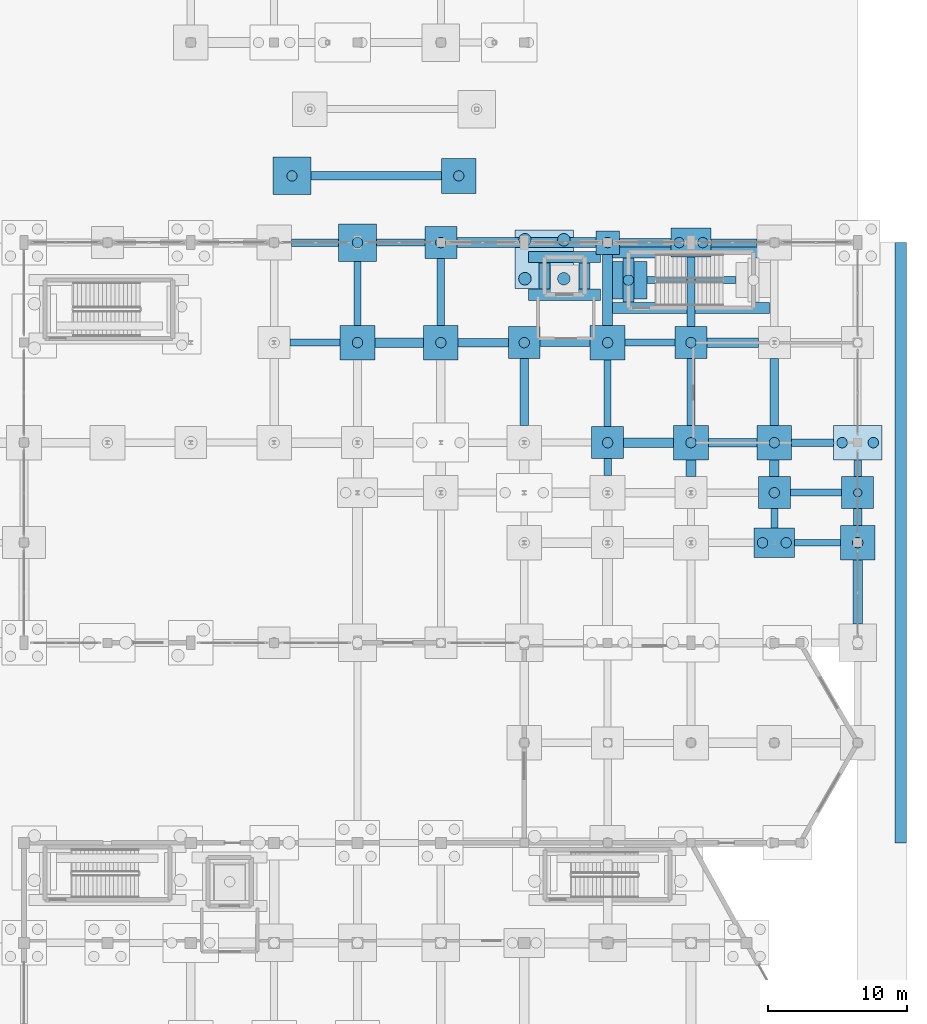
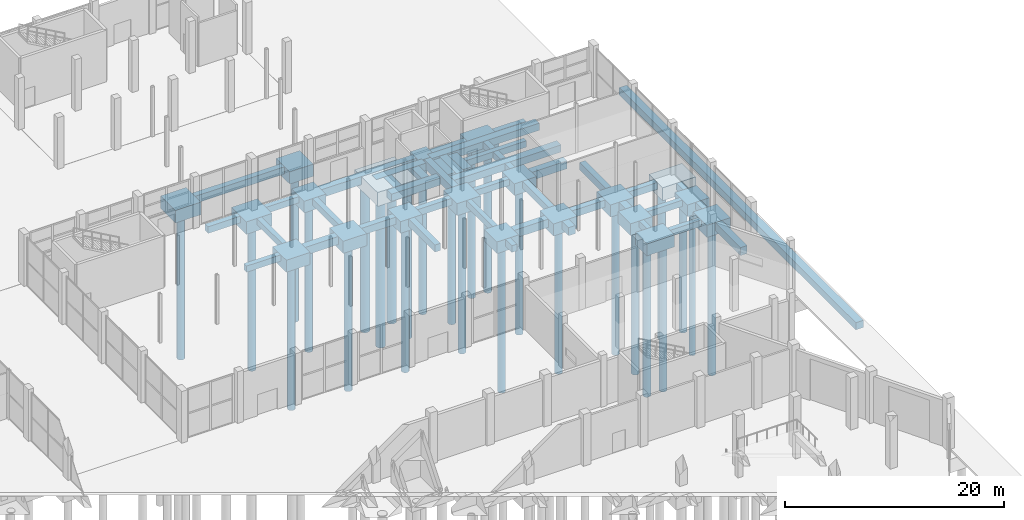
# One storey, part 12 of 103: 62 footings, 27 piles.
"""IFC4 building model written with IfcOpenShell, lengths in metres."""

from ifc_helpers import new_model, si_unit, direction, frame, origin, origin_2d, place, context, subcontext, project, spatial, rectangle, circle, extrude, material, material_profile, profile_set, type_object, element, save


model = new_model("IFC4")

# Units and contexts
model_context = context("Model", 3, precision=1e-05, world=origin(), true_north=direction((0.0, 1.0)))
body_context = subcontext(model_context, "Body", "Model", "MODEL_VIEW")
ifc_project = project(units=[si_unit("LENGTHUNIT", "METRE"), si_unit("AREAUNIT", "SQUARE_METRE"), si_unit("VOLUMEUNIT", "CUBIC_METRE"), si_unit("PLANEANGLEUNIT", "RADIAN"), si_unit("MASSUNIT", "GRAM", prefix="KILO")], contexts=[model_context])

# Site, building, storey
site_placement = place(None, origin())
site = spatial("IfcSite", under=ifc_project, at=site_placement, CompositionType="ELEMENT")
building_placement = place(site_placement, origin())
building = spatial("IfcBuilding", under=site, at=building_placement, Name="Dunvalen Ferry Terminal", CompositionType="ELEMENT")
storey_placement = place(building_placement, origin())
storey = spatial("IfcBuildingStorey", under=building, at=storey_placement, Name="L00", CompositionType="ELEMENT", Elevation=0.0)

# Footings
ifc_material = material(Name="Concrete C40/50", Category="concrete")
ifc_material_profile_1 = material_profile(ifc_material, rectangle(XDim=0.5, YDim=0.699951171875, at=origin_2d()), Name="Concrete C40/50")
ifc_profile_set_1 = profile_set([ifc_material_profile_1], Name="Concrete C40/50")
footing_type_1 = type_object("IfcFootingType", Name="STR-GB-500x700", PredefinedType="FOOTING_BEAM", material=ifc_profile_set_1)
footing_1_placement = place(storey_placement, frame((163.449951171875, 64.800048828125, -0.669921875), z_axis=(1.0, 0.0, 0.0), x_axis=(0.0, 1.0, 0.0)))
element("IfcFooting", 1, at=footing_1_placement, inside=storey, type_object=footing_type_1, Name="L00 Ground Beam X-247", PredefinedType="FOOTING_BEAM", context=body_context, shape_type="SweptSolid", body=[
    extrude(rectangle(XDim=0.5, YDim=0.699951171875, at=origin_2d()), origin(), (0.0, 0.0, 1.0), 3.300048828125),
])
footing_2_placement = place(storey_placement, frame((163.14990234375, 68.39990234375, -0.669921875), z_axis=(1.0, 0.0, 0.0), x_axis=(0.0, 1.0, 0.0)))
element("IfcFooting", 2, at=footing_2_placement, inside=storey, type_object=footing_type_1, Name="L00 Ground Beam X-259", PredefinedType="FOOTING_BEAM", context=body_context, shape_type="SweptSolid", body=[
    extrude(rectangle(XDim=0.5, YDim=0.699951171875, at=origin_2d()), origin(), (0.0, 0.0, 1.0), 3.7001953125),
])
for number, where, z_axis, x_axis, name in (
    (3, (127.14990234375, 79.199951171875, -0.669921875), (1.0, 0.0, 0.0), (0.0, 1.0, 0.0), "L00 Ground Beam X-303"),
    (4, (151.25, 79.199951171875, -0.669921875), (1.0, 0.0, 0.0), (0.0, 1.0, 0.0), "L00 Ground Beam X-307"),
):
    element("IfcFooting", number, at=place(storey_placement, frame(where, z_axis=z_axis, x_axis=x_axis)), inside=storey, type_object=footing_type_1, Name=name, PredefinedType="FOOTING_BEAM", context=body_context, shape_type="SweptSolid", body=[
        extrude(rectangle(XDim=0.5, YDim=0.699951171875, at=origin_2d()), origin(), (0.0, 0.0, 1.0), 3.60009765625),
    ])
footing_3_placement = place(storey_placement, frame((152.85009765625, 83.699951171875, -0.669921875), z_axis=(1.0, 0.0, 0.0), x_axis=(0.0, 1.0, 0.0)))
element("IfcFooting", 5, at=footing_3_placement, inside=storey, type_object=footing_type_1, Name="L00 Ground Beam X-311", PredefinedType="FOOTING_BEAM", context=body_context, shape_type="SweptSolid", body=[
    extrude(rectangle(XDim=0.5, YDim=0.699951171875, at=origin_2d()), origin(), (0.0, 0.0, 1.0), 6.39990234375),
])
footing_4_placement = place(storey_placement, frame((133.35009765625, 86.39990234375, -0.669921875), z_axis=(1.0, 0.0, 0.0), x_axis=(0.0, 1.0, 0.0)))
element("IfcFooting", 6, at=footing_4_placement, inside=storey, type_object=footing_type_1, Name="L00 Ground Beam X-327", PredefinedType="FOOTING_BEAM", context=body_context, shape_type="SweptSolid", body=[
    extrude(rectangle(XDim=0.5, YDim=0.699951171875, at=origin_2d()), origin(), (0.0, 0.0, 1.0), 3.5),
])
footing_5_placement = place(storey_placement, frame((132.0, 80.449951171875, -0.669921875), z_axis=(0.0, 1.0, 0.0), x_axis=(-1.0, 0.0, 0.0)))
element("IfcFooting", 7, at=footing_5_placement, inside=storey, type_object=footing_type_1, Name="L00 Ground Beam Y-487", PredefinedType="FOOTING_BEAM", context=body_context, shape_type="SweptSolid", body=[
    extrude(rectangle(XDim=0.5, YDim=0.699951171875, at=origin_2d()), origin(), (0.0, 0.0, 1.0), 4.60009765625),
])
footing_6_placement = place(storey_placement, frame((150.0, 73.14990234375, -0.669921875), z_axis=(0.0, 1.0, 0.0), x_axis=(-1.0, 0.0, 0.0)))
element("IfcFooting", 8, at=footing_6_placement, inside=storey, type_object=footing_type_1, Name="L00 Ground Beam Y-519", PredefinedType="FOOTING_BEAM", context=body_context, shape_type="SweptSolid", body=[
    extrude(rectangle(XDim=0.5, YDim=0.699951171875, at=origin_2d()), origin(), (0.0, 0.0, 1.0), 4.800048828125),
])
footing_7_placement = place(storey_placement, frame((162.0, 65.85009765625, -0.669921875), z_axis=(0.0, 1.0, 0.0), x_axis=(-1.0, 0.0, 0.0)))
element("IfcFooting", 9, at=footing_7_placement, inside=storey, type_object=footing_type_1, Name="L00 Ground Beam Y-531", PredefinedType="FOOTING_BEAM", context=body_context, shape_type="SweptSolid", body=[
    extrude(rectangle(XDim=0.5, YDim=0.699951171875, at=origin_2d()), origin(), (0.0, 0.0, 1.0), 1.39990234375),
])
ifc_material_profile_2 = material_profile(ifc_material, rectangle(XDim=0.550048828125, YDim=0.75, at=origin_2d()), Name="Concrete C40/50")
ifc_profile_set_2 = profile_set([ifc_material_profile_2], Name="Concrete C40/50")
footing_type_2 = type_object("IfcFootingType", Name="STR-GB-550x750", PredefinedType="FOOTING_BEAM", material=ifc_profile_set_2)
footing_8_placement = place(storey_placement, frame((163.25, 72.0, -0.695068359375), z_axis=(1.0, 0.0, 0.0), x_axis=(0.0, 1.0, 0.0)))
element("IfcFooting", 10, at=footing_8_placement, inside=storey, type_object=footing_type_2, Name="L00 Ground Beam X-286", PredefinedType="FOOTING_BEAM", context=body_context, shape_type="SweptSolid", body=[
    extrude(rectangle(XDim=0.550048828125, YDim=0.75, at=origin_2d()), origin(), (0.0, 0.0, 1.0), 3.0),
])
footing_9_placement = place(storey_placement, frame((145.14990234375, 79.199951171875, -0.695068359375), z_axis=(1.0, 0.0, 0.0), x_axis=(0.0, 1.0, 0.0)))
element("IfcFooting", 11, at=footing_9_placement, inside=storey, type_object=footing_type_2, Name="L00 Ground Beam X-306", PredefinedType="FOOTING_BEAM", context=body_context, shape_type="SweptSolid", body=[
    extrude(rectangle(XDim=0.550048828125, YDim=0.75, at=origin_2d()), origin(), (0.0, 0.0, 1.0), 3.60009765625),
])
footing_10_placement = place(storey_placement, frame((127.25, 86.39990234375, -0.695068359375), z_axis=(1.0, 0.0, 0.0), x_axis=(0.0, 1.0, 0.0)))
element("IfcFooting", 12, at=footing_10_placement, inside=storey, type_object=footing_type_2, Name="L00 Ground Beam X-326", PredefinedType="FOOTING_BEAM", context=body_context, shape_type="SweptSolid", body=[
    extrude(rectangle(XDim=0.550048828125, YDim=0.75, at=origin_2d()), origin(), (0.0, 0.0, 1.0), 3.39990234375),
])
footing_11_placement = place(storey_placement, frame((157.449951171875, 86.39990234375, -0.695068359375), z_axis=(1.0, 0.0, 0.0), x_axis=(0.0, 1.0, 0.0)))
element("IfcFooting", 13, at=footing_11_placement, inside=storey, type_object=footing_type_2, Name="L00 Ground Beam X-330", PredefinedType="FOOTING_BEAM", context=body_context, shape_type="SweptSolid", body=[
    extrude(rectangle(XDim=0.550048828125, YDim=0.75, at=origin_2d()), origin(), (0.0, 0.0, 1.0), 3.300048828125),
])
footing_12_placement = place(storey_placement, frame((138.0, 80.449951171875, -0.695068359375), z_axis=(0.0, 1.0, 0.0), x_axis=(-1.0, 0.0, 0.0)))
element("IfcFooting", 14, at=footing_12_placement, inside=storey, type_object=footing_type_2, Name="L00 Ground Beam Y-498", PredefinedType="FOOTING_BEAM", context=body_context, shape_type="SweptSolid", body=[
    extrude(rectangle(XDim=0.550048828125, YDim=0.75, at=origin_2d()), origin(), (0.0, 0.0, 1.0), 4.800048828125),
])
footing_13_placement = place(storey_placement, frame((150.0, 69.64990234375, -0.695068359375), z_axis=(0.0, 1.0, 0.0), x_axis=(-1.0, 0.0, 0.0)))
element("IfcFooting", 15, at=footing_13_placement, inside=storey, type_object=footing_type_2, Name="L00 Ground Beam Y-518", PredefinedType="FOOTING_BEAM", context=body_context, shape_type="SweptSolid", body=[
    extrude(rectangle(XDim=0.550048828125, YDim=0.75, at=origin_2d()), origin(), (0.0, 0.0, 1.0), 1.2001953125),
])
footing_14_placement = place(storey_placement, frame((156.0, 80.35009765625, -0.695068359375), z_axis=(0.0, 1.0, 0.0), x_axis=(-1.0, 0.0, 0.0)))
element("IfcFooting", 16, at=footing_14_placement, inside=storey, type_object=footing_type_2, Name="L00 Ground Beam Y-530", PredefinedType="FOOTING_BEAM", context=body_context, shape_type="SweptSolid", body=[
    extrude(rectangle(XDim=0.550048828125, YDim=0.75, at=origin_2d()), origin(), (0.0, 0.0, 1.0), 5.0),
])
footing_15_placement = place(storey_placement, frame((168.0, 69.550048828125, -0.695068359375), z_axis=(0.0, 1.0, 0.0), x_axis=(-1.0, 0.0, 0.0)))
element("IfcFooting", 17, at=footing_15_placement, inside=storey, type_object=footing_type_2, Name="L00 Ground Beam Y-538", PredefinedType="FOOTING_BEAM", context=body_context, shape_type="SweptSolid", body=[
    extrude(rectangle(XDim=0.550048828125, YDim=0.75, at=origin_2d()), origin(), (0.0, 0.0, 1.0), 1.199951171875),
])
ifc_material_profile_3 = material_profile(ifc_material, rectangle(XDim=0.60009765625, YDim=0.800048828125, at=origin_2d()), Name="Concrete C40/50")
ifc_profile_set_3 = profile_set([ifc_material_profile_3], Name="Concrete C40/50")
footing_type_3 = type_object("IfcFootingType", Name="STR-GB-600x800", PredefinedType="FOOTING_BEAM", material=ifc_profile_set_3)
footing_16_placement = place(storey_placement, frame((157.25, 72.0, -0.719970703125), z_axis=(1.0, 0.0, 0.0), x_axis=(0.0, 1.0, 0.0)))
element("IfcFooting", 18, at=footing_16_placement, inside=storey, type_object=footing_type_3, Name="L00 Ground Beam X-285", PredefinedType="FOOTING_BEAM", context=body_context, shape_type="SweptSolid", body=[
    extrude(rectangle(XDim=0.60009765625, YDim=0.800048828125, at=origin_2d()), origin(), (0.0, 0.0, 1.0), 3.5),
])
footing_17_placement = place(storey_placement, frame((139.25, 79.199951171875, -0.719970703125), z_axis=(1.0, 0.0, 0.0), x_axis=(0.0, 1.0, 0.0)))
element("IfcFooting", 19, at=footing_17_placement, inside=storey, type_object=footing_type_3, Name="L00 Ground Beam X-305", PredefinedType="FOOTING_BEAM", context=body_context, shape_type="SweptSolid", body=[
    extrude(rectangle(XDim=0.60009765625, YDim=0.800048828125, at=origin_2d()), origin(), (0.0, 0.0, 1.0), 3.60009765625),
])
footing_18_placement = place(storey_placement, frame((150.85009765625, 86.39990234375, -0.719970703125), z_axis=(1.0, 0.0, 0.0), x_axis=(0.0, 1.0, 0.0)))
element("IfcFooting", 20, at=footing_18_placement, inside=storey, type_object=footing_type_3, Name="L00 Ground Beam X-329", PredefinedType="FOOTING_BEAM", context=body_context, shape_type="SweptSolid", body=[
    extrude(rectangle(XDim=0.60009765625, YDim=0.800048828125, at=origin_2d()), origin(), (0.0, 0.0, 1.0), 3.699951171875),
])
footing_19_placement = place(storey_placement, frame((128.63623046875, 91.199951171875, -0.719970703125), z_axis=(1.0, 0.0, 0.0), x_axis=(0.0, 1.0, 0.0)))
element("IfcFooting", 21, at=footing_19_placement, inside=storey, type_object=footing_type_3, Name="L00 Ground Beam X-333", PredefinedType="FOOTING_BEAM", context=body_context, shape_type="SweptSolid", body=[
    extrude(rectangle(XDim=0.60009765625, YDim=0.800048828125, at=origin_2d()), origin(), (0.0, 0.0, 1.0), 9.39990234375),
])
for number, where, z_axis, x_axis, name in (
    (22, (144.0, 73.25, -0.719970703125), (0.0, 1.0, 0.0), (-1.0, 0.0, 0.0), "L00 Ground Beam Y-509"),
    (23, (156.0, 73.25, -0.719970703125), (0.0, 1.0, 0.0), (-1.0, 0.0, 0.0), "L00 Ground Beam Y-529"),
    (24, (162.0, 73.25, -0.719970703125), (0.0, 1.0, 0.0), (-1.0, 0.0, 0.0), "L00 Ground Beam Y-533"),
):
    element("IfcFooting", number, at=place(storey_placement, frame(where, z_axis=z_axis, x_axis=x_axis)), inside=storey, type_object=footing_type_3, Name=name, PredefinedType="FOOTING_BEAM", context=body_context, shape_type="SweptSolid", body=[
        extrude(rectangle(XDim=0.60009765625, YDim=0.800048828125, at=origin_2d()), origin(), (0.0, 0.0, 1.0), 4.800048828125),
    ])
footing_20_placement = place(storey_placement, frame((168.0, 66.050048828125, -0.719970703125), z_axis=(0.0, 1.0, 0.0), x_axis=(-1.0, 0.0, 0.0)))
element("IfcFooting", 25, at=footing_20_placement, inside=storey, type_object=footing_type_3, Name="L00 Ground Beam Y-537", PredefinedType="FOOTING_BEAM", context=body_context, shape_type="SweptSolid", body=[
    extrude(rectangle(XDim=0.60009765625, YDim=0.800048828125, at=origin_2d()), origin(), (0.0, 0.0, 1.0), 1.199951171875),
])
ifc_material_profile_4 = material_profile(ifc_material, rectangle(XDim=0.699951171875, YDim=0.89990234375, at=origin_2d()), Name="Concrete C40/50")
ifc_profile_set_4 = profile_set([ifc_material_profile_4], Name="Concrete C40/50")
footing_type_4 = type_object("IfcFootingType", Name="STR-GB-700x900", PredefinedType="FOOTING_BEAM", material=ifc_profile_set_4)
footing_21_placement = place(storey_placement, frame((151.14990234375, 72.0, -0.77001953125), z_axis=(1.0, 0.0, 0.0), x_axis=(0.0, 1.0, 0.0)))
element("IfcFooting", 26, at=footing_21_placement, inside=storey, type_object=footing_type_4, Name="L00 Ground Beam X-284", PredefinedType="FOOTING_BEAM", context=body_context, shape_type="SweptSolid", body=[
    extrude(rectangle(XDim=0.699951171875, YDim=0.89990234375, at=origin_2d()), origin(), (0.0, 0.0, 1.0), 3.60009765625),
])
footing_22_placement = place(storey_placement, frame((133.25, 79.199951171875, -0.77001953125), z_axis=(1.0, 0.0, 0.0), x_axis=(0.0, 1.0, 0.0)))
element("IfcFooting", 27, at=footing_22_placement, inside=storey, type_object=footing_type_4, Name="L00 Ground Beam X-304", PredefinedType="FOOTING_BEAM", context=body_context, shape_type="SweptSolid", body=[
    extrude(rectangle(XDim=0.699951171875, YDim=0.89990234375, at=origin_2d()), origin(), (0.0, 0.0, 1.0), 3.5),
])
footing_23_placement = place(storey_placement, frame((157.14990234375, 79.199951171875, -0.77001953125), z_axis=(1.0, 0.0, 0.0), x_axis=(0.0, 1.0, 0.0)))
element("IfcFooting", 28, at=footing_23_placement, inside=storey, type_object=footing_type_4, Name="L00 Ground Beam X-308", PredefinedType="FOOTING_BEAM", context=body_context, shape_type="SweptSolid", body=[
    extrude(rectangle(XDim=0.699951171875, YDim=0.89990234375, at=origin_2d()), origin(), (0.0, 0.0, 1.0), 3.7001953125),
])
footing_24_placement = place(storey_placement, frame((139.14990234375, 86.39990234375, -0.77001953125), z_axis=(1.0, 0.0, 0.0), x_axis=(0.0, 1.0, 0.0)))
element("IfcFooting", 29, at=footing_24_placement, inside=storey, type_object=footing_type_4, Name="L00 Ground Beam X-328", PredefinedType="FOOTING_BEAM", context=body_context, shape_type="SweptSolid", body=[
    extrude(rectangle(XDim=0.699951171875, YDim=0.89990234375, at=origin_2d()), origin(), (0.0, 0.0, 1.0), 10.0),
])
footing_25_placement = place(storey_placement, frame((150.0, 80.449951171875, -0.77001953125), z_axis=(0.0, 1.0, 0.0), x_axis=(-1.0, 0.0, 0.0)))
element("IfcFooting", 30, at=footing_25_placement, inside=storey, type_object=footing_type_4, Name="L00 Ground Beam Y-520", PredefinedType="FOOTING_BEAM", context=body_context, shape_type="SweptSolid", body=[
    extrude(rectangle(XDim=0.699951171875, YDim=0.89990234375, at=origin_2d()), origin(), (0.0, 0.0, 1.0), 5.10009765625),
])
for number, where, z_axis, x_axis, name in (
    (31, (156.0, 69.550048828125, -0.77001953125), (0.0, 1.0, 0.0), (-1.0, 0.0, 0.0), "L00 Ground Beam Y-528"),
    (32, (162.0, 69.550048828125, -0.77001953125), (0.0, 1.0, 0.0), (-1.0, 0.0, 0.0), "L00 Ground Beam Y-532"),
):
    element("IfcFooting", number, at=place(storey_placement, frame(where, z_axis=z_axis, x_axis=x_axis)), inside=storey, type_object=footing_type_4, Name=name, PredefinedType="FOOTING_BEAM", context=body_context, shape_type="SweptSolid", body=[
        extrude(rectangle(XDim=0.699951171875, YDim=0.89990234375, at=origin_2d()), origin(), (0.0, 0.0, 1.0), 1.199951171875),
    ])
footing_26_placement = place(storey_placement, frame((168.0, 58.949951171875, -0.77001953125), z_axis=(0.0, 1.0, 0.0), x_axis=(-1.0, 0.0, 0.0)))
element("IfcFooting", 33, at=footing_26_placement, inside=storey, type_object=footing_type_4, Name="L00 Ground Beam Y-536", PredefinedType="FOOTING_BEAM", context=body_context, shape_type="SweptSolid", body=[
    extrude(rectangle(XDim=0.699951171875, YDim=0.89990234375, at=origin_2d()), origin(), (0.0, 0.0, 1.0), 4.60009765625),
])
footing_type_5 = type_object("IfcFootingType", Name="STR-PC-01", PredefinedType="PILE_CAP", material=ifc_material)
footing_27_placement = place(storey_placement, frame((150.0, 86.39990234375, -1.52001953125), z_axis=(0.0, 0.0, 1.0), x_axis=(1.0, 0.0, 0.0)))
element("IfcFooting", 34, at=footing_27_placement, inside=storey, type_object=footing_type_5, Name="L00 Pile Cap 251", PredefinedType="PILE_CAP", context=body_context, shape_type="SweptSolid", body=[
    extrude(rectangle(XDim=1.699951171875, YDim=1.699951171875, at=origin_2d()), origin(), (0.0, 0.0, 1.0), 1.199951171875),
])
footing_type_6 = type_object("IfcFootingType", Name="STR-PC-04", PredefinedType="PILE_CAP", material=ifc_material)
for number, where, z_axis, x_axis, name in (
    (35, (138.0, 86.39990234375, -1.6201171875), (0.0, 0.0, 1.0), (1.0, 0.0, 0.0), "L00 Pile Cap 215"),
    (36, (144.0, 79.199951171875, -1.6201171875), (0.0, 0.0, 1.0), (1.0, 0.0, 0.0), "L00 Pile Cap 234"),
    (37, (150.0, 72.0, -1.6201171875), (0.0, 0.0, 1.0), (1.0, 0.0, 0.0), "L00 Pile Cap 249"),
    (38, (156.0, 79.199951171875, -1.6201171875), (0.0, 0.0, 1.0), (1.0, 0.0, 0.0), "L00 Pile Cap 265"),
    (39, (162.0, 68.39990234375, -1.6201171875), (0.0, 0.0, 1.0), (1.0, 0.0, 0.0), "L00 Pile Cap 277"),
    (40, (168.0, 68.39990234375, -1.6201171875), (0.0, 0.0, 1.0), (1.0, 0.0, 0.0), "L00 Pile Cap 285"),
):
    element("IfcFooting", number, at=place(storey_placement, frame(where, z_axis=z_axis, x_axis=x_axis)), inside=storey, type_object=footing_type_6, Name=name, PredefinedType="PILE_CAP", context=body_context, shape_type="SweptSolid", body=[
        extrude(rectangle(XDim=2.300048828125, YDim=2.300048828125, at=origin_2d()), origin(), (0.0, 0.0, 1.0), 1.300048828125),
    ])
footing_type_7 = type_object("IfcFootingType", Name="STR-PC-05", PredefinedType="PILE_CAP", material=ifc_material)
for number, where, z_axis, x_axis, name in (
    (41, (132.0, 79.199951171875, -1.670166015625), (0.0, 0.0, 1.0), (1.0, 0.0, 0.0), "L00 Pile Cap 200"),
    (42, (138.0, 79.199951171875, -1.670166015625), (0.0, 0.0, 1.0), (1.0, 0.0, 0.0), "L00 Pile Cap 214"),
    (43, (139.2861328125, 91.199951171875, -1.670166015625), (0.0, 0.0, 1.0), (1.0, 0.0, 0.0), "L00 Pile Cap 219"),
    (44, (150.0, 79.199951171875, -1.670166015625), (0.0, 0.0, 1.0), (1.0, 0.0, 0.0), "L00 Pile Cap 250"),
    (45, (156.0, 72.0, -1.670166015625), (0.0, 0.0, 1.0), (1.0, 0.0, 0.0), "L00 Pile Cap 264"),
    (46, (162.0, 72.0, -1.670166015625), (0.0, 0.0, 1.0), (1.0, 0.0, 0.0), "L00 Pile Cap 278"),
    (47, (168.0, 64.800048828125, -1.670166015625), (0.0, 0.0, 1.0), (1.0, 0.0, 0.0), "L00 Pile Cap 284"),
):
    element("IfcFooting", number, at=place(storey_placement, frame(where, z_axis=z_axis, x_axis=x_axis)), inside=storey, type_object=footing_type_7, Name=name, PredefinedType="PILE_CAP", context=body_context, shape_type="SweptSolid", body=[
        extrude(rectangle(XDim=2.5, YDim=2.5, at=origin_2d()), origin(), (0.0, 0.0, 1.0), 1.35009765625),
    ])
footing_type_8 = type_object("IfcFootingType", Name="STR-PC-06", PredefinedType="PILE_CAP", material=ifc_material)
for number, where, z_axis, x_axis, name in (
    (48, (127.2861328125, 91.199951171875, -1.719970703125), (0.0, 0.0, 1.0), (1.0, 0.0, 0.0), "L00 Pile Cap 186"),
    (49, (132.0, 86.39990234375, -1.719970703125), (0.0, 0.0, 1.0), (1.0, 0.0, 0.0), "L00 Pile Cap 201"),
    (50, (151.5, 83.699951171875, -1.719970703125), (0.0, 0.0, 1.0), (1.0, 0.0, 0.0), "L00 Pile Cap 252"),
):
    element("IfcFooting", number, at=place(storey_placement, frame(where, z_axis=z_axis, x_axis=x_axis)), inside=storey, type_object=footing_type_8, Name=name, PredefinedType="PILE_CAP", context=body_context, shape_type="SweptSolid", body=[
        extrude(rectangle(XDim=2.699951171875, YDim=2.699951171875, at=origin_2d()), origin(), (0.0, 0.0, 1.0), 1.39990234375),
    ])
footing_type_9 = type_object("IfcFootingType", Name="STR-PC-07", PredefinedType="PILE_CAP", material=ifc_material)
for number, where, z_axis, x_axis, name in (
    (51, (156.0, 86.39990234375, -1.670166015625), (0.0, 0.0, 1.0), (1.0, 0.0, 0.0), "L00 Pile Cap 266"),
    (52, (162.0, 64.800048828125, -1.670166015625), (0.0, 0.0, 1.0), (1.0, 0.0, 0.0), "L00 Pile Cap 276"),
):
    element("IfcFooting", number, at=place(storey_placement, frame(where, z_axis=z_axis, x_axis=x_axis)), inside=storey, type_object=footing_type_9, Name=name, PredefinedType="PILE_CAP", context=body_context, shape_type="SweptSolid", body=[
        extrude(rectangle(XDim=2.89990234375, YDim=2.10009765625, at=origin_2d()), origin(), (0.0, 0.0, 1.0), 1.35009765625),
    ])
footing_type_10 = type_object("IfcFootingType", Name="STR-PC-10", PredefinedType="PILE_CAP", material=ifc_material)
footing_28_placement = place(storey_placement, frame((168.0, 72.0, -1.77001953125), z_axis=(0.0, 0.0, 1.0), x_axis=(1.0, 0.0, 0.0)))
element("IfcFooting", 53, at=footing_28_placement, inside=storey, type_object=footing_type_10, Name="L00 Pile Cap 286", PredefinedType="PILE_CAP", context=body_context, shape_type="SweptSolid", body=[
    extrude(rectangle(XDim=3.5, YDim=2.5, at=origin_2d()), origin(), (0.0, 0.0, 1.0), 1.449951171875),
])
footing_type_11 = type_object("IfcFootingType", Name="STR-PC-13", PredefinedType="PILE_CAP", material=ifc_material)
footing_29_placement = place(storey_placement, frame((145.449951171875, 85.199951171875, -1.8701171875), z_axis=(0.0, 0.0, 1.0), x_axis=(1.0, 0.0, 0.0)))
element("IfcFooting", 54, at=footing_29_placement, inside=storey, type_object=footing_type_11, Name="L00 Pile Cap 235", PredefinedType="PILE_CAP", context=body_context, shape_type="SweptSolid", body=[
    extrude(rectangle(XDim=4.199951171875, YDim=4.199951171875, at=origin_2d()), origin(), (0.0, 0.0, 1.0), 1.550048828125),
])

# Piles
ifc_material_profile_5 = material_profile(ifc_material, circle(Radius=0.300048828125, at=origin_2d()), Name="Concrete C40/50")
ifc_profile_set_5 = profile_set([ifc_material_profile_5], Name="Concrete C40/50")
pile_type_1 = type_object("IfcPileType", Name="STR-PILE-P600", PredefinedType="BORED", material=ifc_profile_set_5)
pile_1_placement = place(storey_placement, frame((168.0, 68.39990234375, -1.52001953125), z_axis=(0.0, 0.0, -1.0), x_axis=(1.0, 0.0, 0.0)))
element("IfcPile", 55, at=pile_1_placement, inside=storey, type_object=pile_type_1, Name="L00 Bored Pile 285.1", PredefinedType="BORED", context=body_context, shape_type="SweptSolid", body=[
    extrude(circle(Radius=0.300048828125, at=origin_2d()), origin(), (0.0, 0.0, 1.0), 16.47998046875),
])
ifc_material_profile_6 = material_profile(ifc_material, circle(Radius=0.375, at=origin_2d()), Name="Concrete C40/50")
ifc_profile_set_6 = profile_set([ifc_material_profile_6], Name="Concrete C40/50")
pile_type_2 = type_object("IfcPileType", Name="STR-PILE-P750", PredefinedType="BORED", material=ifc_profile_set_6)
pile_2_placement = place(storey_placement, frame((127.2861328125, 91.199951171875, -1.6201171875), z_axis=(0.0, 0.0, -1.0), x_axis=(1.0, 0.0, 0.0)))
element("IfcPile", 56, at=pile_2_placement, inside=storey, type_object=pile_type_2, Name="L00 Bored Pile 186.1", PredefinedType="BORED", context=body_context, shape_type="SweptSolid", body=[
    extrude(circle(Radius=0.375, at=origin_2d()), origin(), (0.0, 0.0, 1.0), 16.3798828125),
])
pile_3_placement = place(storey_placement, frame((132.0, 79.199951171875, -1.570068359375), z_axis=(0.0, 0.0, -1.0), x_axis=(1.0, 0.0, 0.0)))
element("IfcPile", 57, at=pile_3_placement, inside=storey, type_object=pile_type_2, Name="L00 Bored Pile 200.1", PredefinedType="BORED", context=body_context, shape_type="SweptSolid", body=[
    extrude(circle(Radius=0.375, at=origin_2d()), origin(), (0.0, 0.0, 1.0), 16.429931640625),
])
pile_4_placement = place(storey_placement, frame((132.0, 86.39990234375, -1.6201171875), z_axis=(0.0, 0.0, -1.0), x_axis=(1.0, 0.0, 0.0)))
element("IfcPile", 58, at=pile_4_placement, inside=storey, type_object=pile_type_2, Name="L00 Bored Pile 201.1", PredefinedType="BORED", context=body_context, shape_type="SweptSolid", body=[
    extrude(circle(Radius=0.375, at=origin_2d()), origin(), (0.0, 0.0, 1.0), 16.3798828125),
])
pile_5_placement = place(storey_placement, frame((138.0, 79.199951171875, -1.570068359375), z_axis=(0.0, 0.0, -1.0), x_axis=(1.0, 0.0, 0.0)))
element("IfcPile", 59, at=pile_5_placement, inside=storey, type_object=pile_type_2, Name="L00 Bored Pile 214.1", PredefinedType="BORED", context=body_context, shape_type="SweptSolid", body=[
    extrude(circle(Radius=0.375, at=origin_2d()), origin(), (0.0, 0.0, 1.0), 16.429931640625),
])
pile_6_placement = place(storey_placement, frame((138.0, 86.39990234375, -1.52001953125), z_axis=(0.0, 0.0, -1.0), x_axis=(1.0, 0.0, 0.0)))
element("IfcPile", 60, at=pile_6_placement, inside=storey, type_object=pile_type_2, Name="L00 Bored Pile 215.1", PredefinedType="BORED", context=body_context, shape_type="SweptSolid", body=[
    extrude(circle(Radius=0.375, at=origin_2d()), origin(), (0.0, 0.0, 1.0), 16.47998046875),
])
pile_7_placement = place(storey_placement, frame((139.2861328125, 91.199951171875, -1.570068359375), z_axis=(0.0, 0.0, -1.0), x_axis=(1.0, 0.0, 0.0)))
element("IfcPile", 61, at=pile_7_placement, inside=storey, type_object=pile_type_2, Name="L00 Bored Pile 219.1", PredefinedType="BORED", context=body_context, shape_type="SweptSolid", body=[
    extrude(circle(Radius=0.375, at=origin_2d()), origin(), (0.0, 0.0, 1.0), 16.429931640625),
])
for number, where, z_axis, x_axis, name in (
    (62, (144.0, 79.199951171875, -1.52001953125), (0.0, 0.0, -1.0), (1.0, 0.0, 0.0), "L00 Bored Pile 234.1"),
    (63, (150.0, 72.0, -1.52001953125), (0.0, 0.0, -1.0), (1.0, 0.0, 0.0), "L00 Bored Pile 249.1"),
):
    element("IfcPile", number, at=place(storey_placement, frame(where, z_axis=z_axis, x_axis=x_axis)), inside=storey, type_object=pile_type_2, Name=name, PredefinedType="BORED", context=body_context, shape_type="SweptSolid", body=[
        extrude(circle(Radius=0.375, at=origin_2d()), origin(), (0.0, 0.0, 1.0), 16.47998046875),
    ])
pile_8_placement = place(storey_placement, frame((150.0, 79.199951171875, -1.570068359375), z_axis=(0.0, 0.0, -1.0), x_axis=(1.0, 0.0, 0.0)))
element("IfcPile", 64, at=pile_8_placement, inside=storey, type_object=pile_type_2, Name="L00 Bored Pile 250.1", PredefinedType="BORED", context=body_context, shape_type="SweptSolid", body=[
    extrude(circle(Radius=0.375, at=origin_2d()), origin(), (0.0, 0.0, 1.0), 16.429931640625),
])
pile_9_placement = place(storey_placement, frame((150.0, 86.39990234375, -1.419921875), z_axis=(0.0, 0.0, -1.0), x_axis=(1.0, 0.0, 0.0)))
element("IfcPile", 65, at=pile_9_placement, inside=storey, type_object=pile_type_2, Name="L00 Bored Pile 251.1", PredefinedType="BORED", context=body_context, shape_type="SweptSolid", body=[
    extrude(circle(Radius=0.375, at=origin_2d()), origin(), (0.0, 0.0, 1.0), 16.580078125),
])
pile_10_placement = place(storey_placement, frame((151.5, 83.699951171875, -1.6201171875), z_axis=(0.0, 0.0, -1.0), x_axis=(1.0, 0.0, 0.0)))
element("IfcPile", 66, at=pile_10_placement, inside=storey, type_object=pile_type_2, Name="L00 Bored Pile 252.1", PredefinedType="BORED", context=body_context, shape_type="SweptSolid", body=[
    extrude(circle(Radius=0.375, at=origin_2d()), origin(), (0.0, 0.0, 1.0), 16.3798828125),
])
pile_11_placement = place(storey_placement, frame((156.0, 72.0, -1.570068359375), z_axis=(0.0, 0.0, -1.0), x_axis=(1.0, 0.0, 0.0)))
element("IfcPile", 67, at=pile_11_placement, inside=storey, type_object=pile_type_2, Name="L00 Bored Pile 264.1", PredefinedType="BORED", context=body_context, shape_type="SweptSolid", body=[
    extrude(circle(Radius=0.375, at=origin_2d()), origin(), (0.0, 0.0, 1.0), 16.429931640625),
])
pile_12_placement = place(storey_placement, frame((156.0, 79.199951171875, -1.52001953125), z_axis=(0.0, 0.0, -1.0), x_axis=(1.0, 0.0, 0.0)))
element("IfcPile", 68, at=pile_12_placement, inside=storey, type_object=pile_type_2, Name="L00 Bored Pile 265.1", PredefinedType="BORED", context=body_context, shape_type="SweptSolid", body=[
    extrude(circle(Radius=0.375, at=origin_2d()), origin(), (0.0, 0.0, 1.0), 16.47998046875),
])
for number, where, z_axis, x_axis, name in (
    (69, (155.14990234375, 86.39990234375, -1.570068359375), (0.0, 0.0, -1.0), (1.0, 0.0, 0.0), "L00 Bored Pile 266.1"),
    (70, (156.85009765625, 86.39990234375, -1.570068359375), (0.0, 0.0, -1.0), (1.0, 0.0, 0.0), "L00 Bored Pile 266.2"),
    (71, (161.14990234375, 64.800048828125, -1.570068359375), (0.0, 0.0, -1.0), (1.0, 0.0, 0.0), "L00 Bored Pile 276.1"),
    (72, (162.85009765625, 64.800048828125, -1.570068359375), (0.0, 0.0, -1.0), (1.0, 0.0, 0.0), "L00 Bored Pile 276.2"),
):
    element("IfcPile", number, at=place(storey_placement, frame(where, z_axis=z_axis, x_axis=x_axis)), inside=storey, type_object=pile_type_2, Name=name, PredefinedType="BORED", context=body_context, shape_type="SweptSolid", body=[
        extrude(circle(Radius=0.375, at=origin_2d()), origin(), (0.0, 0.0, 1.0), 16.429931640625),
    ])
pile_13_placement = place(storey_placement, frame((162.0, 68.39990234375, -1.52001953125), z_axis=(0.0, 0.0, -1.0), x_axis=(1.0, 0.0, 0.0)))
element("IfcPile", 73, at=pile_13_placement, inside=storey, type_object=pile_type_2, Name="L00 Bored Pile 277.1", PredefinedType="BORED", context=body_context, shape_type="SweptSolid", body=[
    extrude(circle(Radius=0.375, at=origin_2d()), origin(), (0.0, 0.0, 1.0), 16.47998046875),
])
for number, where, z_axis, x_axis, name in (
    (74, (162.0, 72.0, -1.570068359375), (0.0, 0.0, -1.0), (1.0, 0.0, 0.0), "L00 Bored Pile 278.1"),
    (75, (168.0, 64.800048828125, -1.570068359375), (0.0, 0.0, -1.0), (1.0, 0.0, 0.0), "L00 Bored Pile 284.1"),
):
    element("IfcPile", number, at=place(storey_placement, frame(where, z_axis=z_axis, x_axis=x_axis)), inside=storey, type_object=pile_type_2, Name=name, PredefinedType="BORED", context=body_context, shape_type="SweptSolid", body=[
        extrude(circle(Radius=0.375, at=origin_2d()), origin(), (0.0, 0.0, 1.0), 16.429931640625),
    ])
for number, where, z_axis, x_axis, name in (
    (76, (166.875, 72.0, -1.669921875), (0.0, 0.0, -1.0), (1.0, 0.0, 0.0), "L00 Bored Pile 286.1"),
    (77, (169.125, 72.0, -1.669921875), (0.0, 0.0, -1.0), (1.0, 0.0, 0.0), "L00 Bored Pile 286.2"),
):
    element("IfcPile", number, at=place(storey_placement, frame(where, z_axis=z_axis, x_axis=x_axis)), inside=storey, type_object=pile_type_2, Name=name, PredefinedType="BORED", context=body_context, shape_type="SweptSolid", body=[
        extrude(circle(Radius=0.375, at=origin_2d()), origin(), (0.0, 0.0, 1.0), 16.330078125),
    ])
ifc_material_profile_7 = material_profile(ifc_material, circle(Radius=0.449951171875, at=origin_2d()), Name="Concrete C40/50")
ifc_profile_set_7 = profile_set([ifc_material_profile_7], Name="Concrete C40/50")
pile_type_3 = type_object("IfcPileType", Name="STR-PILE-P900", PredefinedType="BORED", material=ifc_profile_set_7)
for number, where, z_axis, x_axis, name in (
    (78, (144.050048828125, 83.800048828125, -1.77001953125), (0.0, 0.0, -1.0), (1.0, 0.0, 0.0), "L00 Bored Pile 235.1"),
    (79, (146.85009765625, 83.800048828125, -1.77001953125), (0.0, 0.0, -1.0), (1.0, 0.0, 0.0), "L00 Bored Pile 235.2"),
    (80, (144.050048828125, 86.60009765625, -1.77001953125), (0.0, 0.0, -1.0), (1.0, 0.0, 0.0), "L00 Bored Pile 235.3"),
    (81, (146.85009765625, 86.60009765625, -1.77001953125), (0.0, 0.0, -1.0), (1.0, 0.0, 0.0), "L00 Bored Pile 235.4"),
):
    element("IfcPile", number, at=place(storey_placement, frame(where, z_axis=z_axis, x_axis=x_axis)), inside=storey, type_object=pile_type_3, Name=name, PredefinedType="BORED", context=body_context, shape_type="SweptSolid", body=[
        extrude(circle(Radius=0.449951171875, at=origin_2d()), origin(), (0.0, 0.0, 1.0), 16.22998046875),
    ])

# Footings
ifc_material_profile_8 = material_profile(ifc_material, rectangle(XDim=0.800048828125, YDim=0.800048828125, at=origin_2d()), Name="Concrete C40/50")
ifc_profile_set_8 = profile_set([ifc_material_profile_8], Name="Concrete C40/50")
footing_type_12 = type_object("IfcFootingType", Name="STR-SF-800x800", PredefinedType="STRIP_FOOTING", material=ifc_profile_set_8)
footing_30_placement = place(storey_placement, frame((151.5, 82.110107421875, -0.719970703125), z_axis=(0.0, 1.0, 0.0), x_axis=(-1.0, 0.0, 0.0)))
element("IfcFooting", 82, at=footing_30_placement, inside=storey, type_object=footing_type_12, Name="L00 ST9 Core West Strip Footing", PredefinedType="STRIP_FOOTING", context=body_context, shape_type="SweptSolid", body=[
    extrude(rectangle(XDim=0.800048828125, YDim=0.800048828125, at=origin_2d()), origin(), (0.0, 0.0, 1.0), 3.179931640625),
])
for number, where, z_axis, x_axis, name in (
    (83, (150.35009765625, 85.699951171875, -0.719970703125), (1.0, 0.0, 0.0), (0.0, 1.0, 0.0), "L00 ST9 Core North Strip Footing"),
    (84, (150.35009765625, 81.699951171875, -0.719970703125), (1.0, 0.0, 0.0), (0.0, 1.0, 0.0), "L00 ST9 Core South Strip Footing"),
):
    element("IfcFooting", number, at=place(storey_placement, frame(where, z_axis=z_axis, x_axis=x_axis)), inside=storey, type_object=footing_type_12, Name=name, PredefinedType="STRIP_FOOTING", context=body_context, shape_type="SweptSolid", body=[
        extrude(rectangle(XDim=0.800048828125, YDim=0.800048828125, at=origin_2d()), origin(), (0.0, 0.0, 1.0), 11.2998046875),
    ])
for number, where, z_axis, x_axis, name in (
    (85, (145.449951171875, 83.06005859375, -0.719970703125), (0.0, 1.0, 0.0), (-1.0, 0.0, 0.0), "L00 LP-02 Shaft W Strip Footing"),
    (86, (148.35009765625, 83.06005859375, -0.719970703125), (0.0, 1.0, 0.0), (-1.0, 0.0, 0.0), "L00 LP-02 Shaft E Strip Footing"),
):
    element("IfcFooting", number, at=place(storey_placement, frame(where, z_axis=z_axis, x_axis=x_axis)), inside=storey, type_object=footing_type_12, Name=name, PredefinedType="STRIP_FOOTING", context=body_context, shape_type="SweptSolid", body=[
        extrude(rectangle(XDim=0.800048828125, YDim=0.800048828125, at=origin_2d()), origin(), (0.0, 0.0, 1.0), 1.8798828125),
    ])
for number, where, z_axis, x_axis, name in (
    (87, (144.300048828125, 82.64990234375, -0.719970703125), (1.0, 0.0, 0.0), (0.0, 1.0, 0.0), "L00 LP-02 Shaft S Strip Footing"),
    (88, (144.300048828125, 85.35009765625, -0.719970703125), (1.0, 0.0, 0.0), (0.0, 1.0, 0.0), "L00 LP-02 Shaft N Strip Footing"),
):
    element("IfcFooting", number, at=place(storey_placement, frame(where, z_axis=z_axis, x_axis=x_axis)), inside=storey, type_object=footing_type_12, Name=name, PredefinedType="STRIP_FOOTING", context=body_context, shape_type="SweptSolid", body=[
        extrude(rectangle(XDim=0.800048828125, YDim=0.800048828125, at=origin_2d()), origin(), (0.0, 0.0, 1.0), 5.199951171875),
    ])
footing_31_placement = place(storey_placement, frame((171.10009765625, 43.199951171875, -0.60009765625), z_axis=(0.0, 1.0, 0.0), x_axis=(-1.0, 0.0, 0.0)))
element("IfcFooting", 89, at=footing_31_placement, inside=storey, type_object=footing_type_12, Name="L00 East Quay Apron Edge Strip Footing", PredefinedType="STRIP_FOOTING", context=body_context, shape_type="SweptSolid", body=[
    extrude(rectangle(XDim=0.800048828125, YDim=0.800048828125, at=origin_2d()), origin(), (0.0, 0.0, 1.0), 43.199951171875),
])

save(model, "model.ifc")
